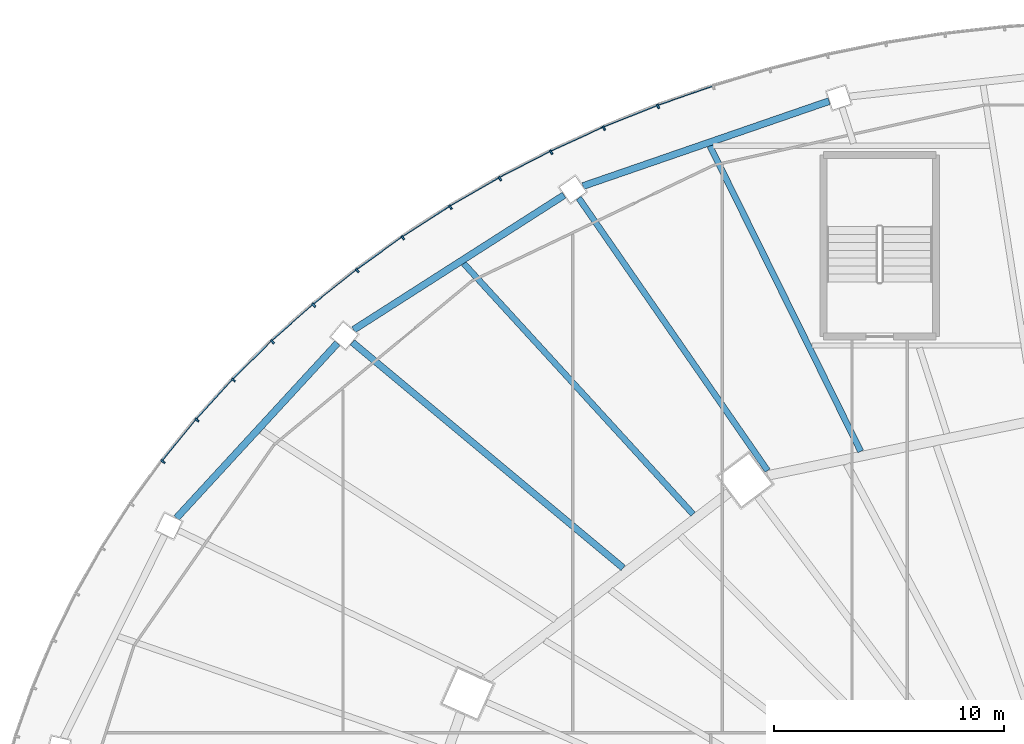
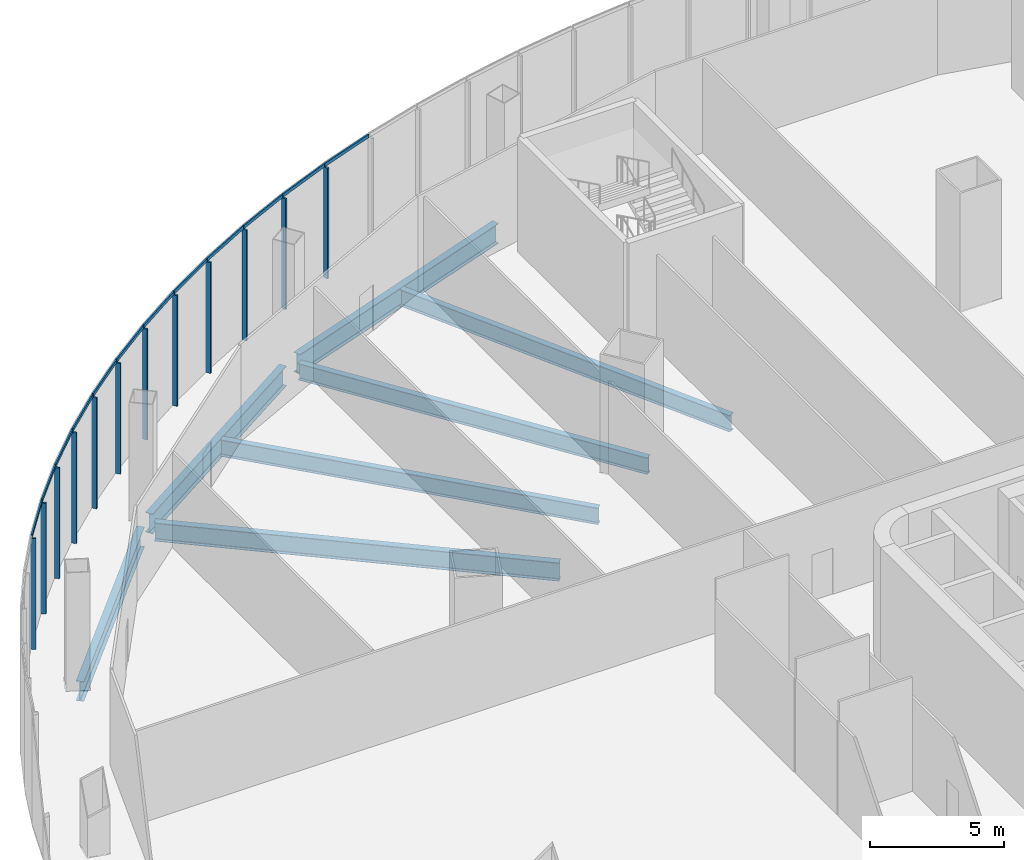
# One storey, part 13 of 42: 24 members, 7 beams, 3 elements without a shape of their own.
"""IFC4 building model written with IfcOpenShell, lengths in metres."""

from ifc_helpers import new_model, si_unit, direction, frame, origin, origin_2d, place, context, subcontext, project, spatial, rectangle, i_section, extrude, material, layer, layer_set, material_profile, profile_set, type_object, element, aggregate, save


model = new_model("IFC4")

# Units and contexts
model_context = context("Model", 3, precision=1e-05, world=origin(), true_north=direction((0.0, 1.0)))
body_context = subcontext(model_context, "Body", "Model", "MODEL_VIEW")
ifc_project = project(units=[si_unit("LENGTHUNIT", "METRE"), si_unit("AREAUNIT", "SQUARE_METRE"), si_unit("VOLUMEUNIT", "CUBIC_METRE"), si_unit("PLANEANGLEUNIT", "RADIAN"), si_unit("MASSUNIT", "GRAM", prefix="KILO")], contexts=[model_context])

# Site, building, storey
site_placement = place(None, origin())
site = spatial("IfcSite", under=ifc_project, at=site_placement, CompositionType="ELEMENT")
building_placement = place(site_placement, origin())
building = spatial("IfcBuilding", under=site, at=building_placement, Name="Sahrelin Media Tower", CompositionType="ELEMENT")
storey_placement = place(building_placement, frame((0.0, 0.0, 26.0)))
storey = spatial("IfcBuildingStorey", under=building, at=storey_placement, Name="L03", CompositionType="ELEMENT", Elevation=26.0)

# Curtain wall, members
ifc_material_1 = material(Name="Champagne anodised aluminium 6063-T6", Category="aluminium")
ifc_layer = layer(ifc_material_1, 0.14990234375)
ifc_layer_set = layer_set([ifc_layer], Name="Podium ribbon curtain wall")
curtain_wall_type = type_object("IfcCurtainWallType", Name="Podium ribbon curtain wall", PredefinedType="NOTDEFINED", material=ifc_layer_set)
curtain_wall_1_placement = place(storey_placement, frame((-12.94091796875, 40.56884765625, 0.0), z_axis=(0.0, 0.0, 1.0), x_axis=(1.0, 0.0, 0.0)))
curtain_wall_1 = element("IfcCurtainWall", 1, at=curtain_wall_1_placement, inside=storey, type_object=curtain_wall_type, Name="L03:CW:L03-P07", PredefinedType="NOTDEFINED")
ifc_material_profile_1 = material_profile(ifc_material_1, rectangle(XDim=0.080078125, YDim=0.199951171875, at=origin_2d()), Name="Mullion 80x200")
ifc_profile_set_1 = profile_set([ifc_material_profile_1], Name="Champagne anodised aluminium 6063-T6")
member_type_1 = type_object("IfcMemberType", Name="Mullion 80x200 CW5", PredefinedType="MULLION", material=ifc_profile_set_1)
member_1_placement = place(storey_placement, frame((-20.292236328125, 38.257568359375, 0.0), z_axis=(0.0, 0.0, 1.0), x_axis=(-0.928270482181, -0.371905783648, 0.0)))
member_1 = element("IfcMember", 2, at=member_1_placement, type_object=member_type_1, Name="L03:CWM4:L03-P07", PredefinedType="MULLION", context=body_context, shape_type="SweptSolid", body=[
    extrude(rectangle(XDim=0.080078125, YDim=0.199951171875, at=origin_2d()), origin(), (0.0, 0.0, 1.0), 5.050048828125),
])
member_2_placement = place(storey_placement, frame((-22.649658203125, 37.31298828125, 0.0), z_axis=(0.0, 0.0, 1.0), x_axis=(-0.909841810065, -0.414955275491, 0.0)))
member_2 = element("IfcMember", 3, at=member_2_placement, type_object=member_type_1, Name="L03:CWM5:L03-P07", PredefinedType="MULLION", context=body_context, shape_type="SweptSolid", body=[
    extrude(rectangle(XDim=0.080078125, YDim=0.199951171875, at=origin_2d()), origin(), (0.0, 0.0, 1.0), 5.050048828125),
])

curtain_wall_2_placement = place(storey_placement, frame((-25.0, 36.373046875, 0.0), z_axis=(0.0, 0.0, 1.0), x_axis=(1.0, 0.0, 0.0)))
curtain_wall_2 = element("IfcCurtainWall", 4, at=curtain_wall_2_placement, inside=storey, type_object=curtain_wall_type, Name="L03:CW:L03-P08", PredefinedType="NOTDEFINED")
member_3_placement = place(storey_placement, frame((-24.945068359375, 36.266357421875, 0.0), z_axis=(0.0, 0.0, 1.0), x_axis=(-0.889123403251, -0.457667536309, 0.0)))
member_3 = element("IfcMember", 5, at=member_3_placement, type_object=member_type_1, Name="L03:CWM1:L03-P08", PredefinedType="MULLION", context=body_context, shape_type="SweptSolid", body=[
    extrude(rectangle(XDim=0.080078125, YDim=0.199951171875, at=origin_2d()), origin(), (0.0, 0.0, 1.0), 5.050048828125),
])
member_4_placement = place(storey_placement, frame((-27.172119140625, 35.120361328125, 0.0), z_axis=(0.0, 0.0, 1.0), x_axis=(-0.866028894422, -0.49999395399, 0.0)))
member_4 = element("IfcMember", 6, at=member_4_placement, type_object=member_type_1, Name="L03:CWM2:L03-P08", PredefinedType="MULLION", context=body_context, shape_type="SweptSolid", body=[
    extrude(rectangle(XDim=0.080078125, YDim=0.199951171875, at=origin_2d()), origin(), (0.0, 0.0, 1.0), 5.050048828125),
])
member_5_placement = place(storey_placement, frame((-29.32421875, 33.877685546875, 0.0), z_axis=(0.0, 0.0, 1.0), x_axis=(-0.840519327336, -0.541781561494, 0.0)))
member_5 = element("IfcMember", 7, at=member_5_placement, type_object=member_type_1, Name="L03:CWM3:L03-P08", PredefinedType="MULLION", context=body_context, shape_type="SweptSolid", body=[
    extrude(rectangle(XDim=0.080078125, YDim=0.199951171875, at=origin_2d()), origin(), (0.0, 0.0, 1.0), 5.050048828125),
])
member_6_placement = place(storey_placement, frame((-31.39599609375, 32.54248046875, 0.0), z_axis=(0.0, 0.0, 1.0), x_axis=(-0.812532432251, -0.582915985834, 0.0)))
member_6 = element("IfcMember", 8, at=member_6_placement, type_object=member_type_1, Name="L03:CWM4:L03-P08", PredefinedType="MULLION", context=body_context, shape_type="SweptSolid", body=[
    extrude(rectangle(XDim=0.080078125, YDim=0.199951171875, at=origin_2d()), origin(), (0.0, 0.0, 1.0), 5.050048828125),
])
member_7_placement = place(storey_placement, frame((-33.381591796875, 31.118408203125, 0.0), z_axis=(0.0, 0.0, 1.0), x_axis=(-0.781960183728, -0.623328381405, 0.0)))
member_7 = element("IfcMember", 9, at=member_7_placement, type_object=member_type_1, Name="L03:CWM5:L03-P08", PredefinedType="MULLION", context=body_context, shape_type="SweptSolid", body=[
    extrude(rectangle(XDim=0.080078125, YDim=0.199951171875, at=origin_2d()), origin(), (0.0, 0.0, 1.0), 5.050048828125),
])

curtain_wall_3_placement = place(storey_placement, frame((-35.355224609375, 29.698486328125, 0.0), z_axis=(0.0, 0.0, 1.0), x_axis=(1.0, 0.0, 0.0)))
curtain_wall_3 = element("IfcCurtainWall", 10, at=curtain_wall_3_placement, inside=storey, type_object=curtain_wall_type, Name="L03:CW:L03-P09", PredefinedType="NOTDEFINED")
member_8_placement = place(storey_placement, frame((-35.27587890625, 29.608642578125, 0.0), z_axis=(0.0, 0.0, 1.0), x_axis=(-0.748788005735, -0.662809567272, 0.0)))
member_8 = element("IfcMember", 11, at=member_8_placement, type_object=member_type_1, Name="L03:CWM1:L03-P09", PredefinedType="MULLION", context=body_context, shape_type="SweptSolid", body=[
    extrude(rectangle(XDim=0.080078125, YDim=0.199951171875, at=origin_2d()), origin(), (0.0, 0.0, 1.0), 5.050048828125),
])
member_9_placement = place(storey_placement, frame((-37.072998046875, 28.017822265625, 0.0), z_axis=(0.0, 0.0, 1.0), x_axis=(-0.712973923933, -0.70119054742, 0.0)))
member_9 = element("IfcMember", 12, at=member_9_placement, type_object=member_type_1, Name="L03:CWM2:L03-P09", PredefinedType="MULLION", context=body_context, shape_type="SweptSolid", body=[
    extrude(rectangle(XDim=0.080078125, YDim=0.199951171875, at=origin_2d()), origin(), (0.0, 0.0, 1.0), 5.050048828125),
])
member_10_placement = place(storey_placement, frame((-38.768798828125, 26.3505859375, 0.0), z_axis=(0.0, 0.0, 1.0), x_axis=(-0.67442997344, -0.738338818514, 0.0)))
member_10 = element("IfcMember", 13, at=member_10_placement, type_object=member_type_1, Name="L03:CWM3:L03-P09", PredefinedType="MULLION", context=body_context, shape_type="SweptSolid", body=[
    extrude(rectangle(XDim=0.080078125, YDim=0.199951171875, at=origin_2d()), origin(), (0.0, 0.0, 1.0), 5.050048828125),
])
member_11_placement = place(storey_placement, frame((-40.35791015625, 24.611083984375, 0.0), z_axis=(0.0, 0.0, 1.0), x_axis=(-0.633234995933, -0.77395958546, 0.0)))
member_11 = element("IfcMember", 14, at=member_11_placement, type_object=member_type_1, Name="L03:CWM4:L03-P09", PredefinedType="MULLION", context=body_context, shape_type="SweptSolid", body=[
    extrude(rectangle(XDim=0.080078125, YDim=0.199951171875, at=origin_2d()), origin(), (0.0, 0.0, 1.0), 5.050048828125),
])
member_12_placement = place(storey_placement, frame((-41.836669921875, 22.80419921875, 0.0), z_axis=(0.0, 0.0, 1.0), x_axis=(-0.589385309161, -0.807852064022, 0.0)))
member_12 = element("IfcMember", 15, at=member_12_placement, type_object=member_type_1, Name="L03:CWM5:L03-P09", PredefinedType="MULLION", context=body_context, shape_type="SweptSolid", body=[
    extrude(rectangle(XDim=0.080078125, YDim=0.199951171875, at=origin_2d()), origin(), (0.0, 0.0, 1.0), 5.050048828125),
])

# Beams
ifc_material_2 = material(Name="Steel S355", Category="steel")
ifc_material_profile_2 = material_profile(ifc_material_2, i_section(OverallWidth=0.30322265625, OverallDepth=0.903076171875, WebThickness=0.01513671875, FlangeThickness=0.020263671875, FilletRadius=0.01904296875, at=origin_2d()), Name="UB 914x305x201")
ifc_profile_set_2 = profile_set([ifc_material_profile_2], Name="Steel S355")
beam_type_1 = type_object("IfcBeamType", Name="Podium edge girder PE11", PredefinedType="BEAM", material=ifc_profile_set_2)
beam_1_placement = place(storey_placement, frame((-12.848876953125, 38.489990234375, -0.651611328125), z_axis=(-0.94527240249, -0.32628221694, 0.0), x_axis=(0.32628221694, -0.94527240249, 0.0)))
element("IfcBeam", 16, at=beam_1_placement, inside=storey, type_object=beam_type_1, Name="Podium edge girder L03-08", PredefinedType="BEAM", context=body_context, shape_type="SweptSolid", body=[
    extrude(i_section(OverallWidth=0.30322265625, OverallDepth=0.903076171875, WebThickness=0.01513671875, FlangeThickness=0.020263671875, FilletRadius=0.01904296875, at=origin_2d()), origin(), (0.0, 0.0, 1.0), 11.329345703125),
])
beam_2_placement = place(storey_placement, frame((-24.37939453125, 34.3984375, -0.651611328125), z_axis=(-0.842485743715, -0.538718638657, 0.0), x_axis=(0.538718638657, -0.842485743715, 0.0)))
element("IfcBeam", 17, at=beam_2_placement, inside=storey, type_object=beam_type_1, Name="Podium edge girder L03-09", PredefinedType="BEAM", context=body_context, shape_type="SweptSolid", body=[
    extrude(i_section(OverallWidth=0.30322265625, OverallDepth=0.903076171875, WebThickness=0.01513671875, FlangeThickness=0.020263671875, FilletRadius=0.01904296875, at=origin_2d()), origin(), (0.0, 0.0, 1.0), 10.87744140625),
])
beam_3_placement = place(storey_placement, frame((-34.246337890625, 27.952880859375, -0.651611328125), z_axis=(-0.677370529771, -0.735642008995, 0.0), x_axis=(0.735642008995, -0.677370529771, 0.0)))
element("IfcBeam", 18, at=beam_3_placement, inside=storey, type_object=beam_type_1, Name="Podium edge girder L03-10", PredefinedType="BEAM", context=body_context, shape_type="SweptSolid", body=[
    extrude(i_section(OverallWidth=0.30322265625, OverallDepth=0.903076171875, WebThickness=0.01513671875, FlangeThickness=0.020263671875, FilletRadius=0.01904296875, at=origin_2d()), origin(), (0.0, 0.0, 1.0), 10.340087890625),
])
ifc_material_profile_3 = material_profile(ifc_material_2, i_section(OverallWidth=0.291748046875, OverallDepth=0.8349609375, WebThickness=0.013916015625, FlangeThickness=0.018798828125, FilletRadius=0.017822265625, at=origin_2d()), Name="UB 838x292x176")
ifc_profile_set_3 = profile_set([ifc_material_profile_3], Name="Steel S355")
beam_type_2 = type_object("IfcBeamType", Name="Radial primary beam PB10", PredefinedType="BEAM", material=ifc_profile_set_3)
beam_4_placement = place(storey_placement, frame((-21.809326171875, 18.174560546875, -0.617431640625), z_axis=(-0.768229105739, 0.640175008178, 0.0), x_axis=(-0.640175008178, -0.768229105739, 0.0)))
element("IfcBeam", 19, at=beam_4_placement, inside=storey, type_object=beam_type_2, Name="Radial beam L03-12", PredefinedType="BEAM", context=body_context, shape_type="SweptSolid", body=[
    extrude(i_section(OverallWidth=0.291748046875, OverallDepth=0.8349609375, WebThickness=0.013916015625, FlangeThickness=0.018798828125, FilletRadius=0.017822265625, at=origin_2d()), origin(), (0.0, 0.0, 1.0), 15.342041015625),
])
ifc_material_profile_4 = material_profile(ifc_material_2, i_section(OverallWidth=0.26513671875, OverallDepth=0.75390625, WebThickness=0.0126953125, FlangeThickness=0.017578125, FilletRadius=0.0166015625, at=origin_2d()), Name="UB 762x267x147")
ifc_profile_set_4 = profile_set([ifc_material_profile_4], Name="Steel S355")
beam_type_3 = type_object("IfcBeamType", Name="Radial primary beam PB9", PredefinedType="BEAM", material=ifc_profile_set_4)
beam_5_placement = place(storey_placement, frame((-15.527099609375, 22.411376953125, -0.576904296875), z_axis=(-0.569493278726, 0.821995988729, 0.0), x_axis=(-0.821995988729, -0.569493278726, 0.0)))
element("IfcBeam", 20, at=beam_5_placement, inside=storey, type_object=beam_type_3, Name="Radial beam L03-11", PredefinedType="BEAM", context=body_context, shape_type="SweptSolid", body=[
    extrude(i_section(OverallWidth=0.26513671875, OverallDepth=0.75390625, WebThickness=0.0126953125, FlangeThickness=0.017578125, FilletRadius=0.0166015625, at=origin_2d()), origin(), (0.0, 0.0, 1.0), 14.427734375),
])
ifc_material_profile_5 = material_profile(ifc_material_2, i_section(OverallWidth=0.26513671875, OverallDepth=0.75390625, WebThickness=0.0126953125, FlangeThickness=0.017578125, FilletRadius=0.0166015625, at=origin_2d()), Name="UB 762x267x147")
ifc_profile_set_5 = profile_set([ifc_material_profile_5], Name="Steel S355")
beam_type_4 = type_object("IfcBeamType", Name="Radial secondary beam SB9", PredefinedType="BEAM", material=ifc_profile_set_5)
beam_6_placement = place(storey_placement, frame((-11.47412109375, 23.247314453125, -0.576904296875), z_axis=(-0.442602611298, 0.896717864477, 0.0), x_axis=(-0.896717864477, -0.442602611298, 0.0)))
element("IfcBeam", 21, at=beam_6_placement, inside=storey, type_object=beam_type_4, Name="Secondary beam L03-08", PredefinedType="BEAM", context=body_context, shape_type="SweptSolid", body=[
    extrude(i_section(OverallWidth=0.26513671875, OverallDepth=0.75390625, WebThickness=0.0126953125, FlangeThickness=0.017578125, FilletRadius=0.0166015625, at=origin_2d()), origin(), (0.0, 0.0, 1.0), 14.8232421875),
])
beam_7_placement = place(storey_placement, frame((-18.7685546875, 20.514892578125, -0.576904296875), z_axis=(-0.675004282666, 0.737813810106, 0.0), x_axis=(-0.737813810106, -0.675004282666, 0.0)))
element("IfcBeam", 22, at=beam_7_placement, inside=storey, type_object=beam_type_4, Name="Secondary beam L03-09", PredefinedType="BEAM", context=body_context, shape_type="SweptSolid", body=[
    extrude(i_section(OverallWidth=0.26513671875, OverallDepth=0.75390625, WebThickness=0.0126953125, FlangeThickness=0.017578125, FilletRadius=0.0166015625, at=origin_2d()), origin(), (0.0, 0.0, 1.0), 14.7861328125),
])

# Member
ifc_material_profile_6 = material_profile(ifc_material_1, rectangle(XDim=0.06005859375, YDim=0.14990234375, at=origin_2d()), Name="Transom 60x150")
ifc_profile_set_6 = profile_set([ifc_material_profile_6], Name="Champagne anodised aluminium 6063-T6")
member_type_2 = type_object("IfcMemberType", Name="Transom 60x150 CW5", PredefinedType="USERDEFINED", material=ifc_profile_set_6)
member_13_placement = place(storey_placement, frame((-17.94921875, 39.146728515625, 5.125), z_axis=(-0.944469242615, -0.328599832248, 0.0), x_axis=(0.328599832248, -0.944469242615, 0.0)))
member_13 = element("IfcMember", 23, at=member_13_placement, type_object=member_type_2, Name="L03:CWT3a:L03-P07", ObjectType="TRANSOM", PredefinedType="USERDEFINED", context=body_context, shape_type="SweptSolid", body=[
    extrude(rectangle(XDim=0.06005859375, YDim=0.14990234375, at=origin_2d()), origin(), (0.0, 0.0, 1.0), 2.510498046875),
])

member_14_placement = place(storey_placement, frame((-20.364501953125, 38.303955078125, 5.125), z_axis=(-0.928280887293, -0.371879811615, 0.0), x_axis=(0.371879811615, -0.928280887293, 0.0)))
member_14 = element("IfcMember", 24, at=member_14_placement, type_object=member_type_2, Name="L03:CWT4a:L03-P07", ObjectType="TRANSOM", PredefinedType="USERDEFINED", context=body_context, shape_type="SweptSolid", body=[
    extrude(rectangle(XDim=0.06005859375, YDim=0.14990234375, at=origin_2d()), origin(), (0.0, 0.0, 1.0), 2.495361328125),
])

member_15_placement = place(storey_placement, frame((-22.72412109375, 37.356201171875, 5.125), z_axis=(-0.909832749786, -0.414975140722, 0.0), x_axis=(0.414975140722, -0.909832749786, 0.0)))
member_15 = element("IfcMember", 25, at=member_15_placement, type_object=member_type_2, Name="L03:CWT5a:L03-P07", ObjectType="TRANSOM", PredefinedType="USERDEFINED", context=body_context, shape_type="SweptSolid", body=[
    extrude(rectangle(XDim=0.06005859375, YDim=0.14990234375, at=origin_2d()), origin(), (0.0, 0.0, 1.0), 2.478515625),
])

aggregate(curtain_wall_1, [member_13, member_1, member_14, member_2, member_15])

member_16_placement = place(storey_placement, frame((-25.021484375, 36.305908203125, 5.125), z_axis=(-0.88908592798, -0.457740333233, 0.0), x_axis=(0.457740333233, -0.88908592798, 0.0)))
member_16 = element("IfcMember", 26, at=member_16_placement, type_object=member_type_2, Name="L03:CWT1a:L03-P08", ObjectType="TRANSOM", PredefinedType="USERDEFINED", context=body_context, shape_type="SweptSolid", body=[
    extrude(rectangle(XDim=0.06005859375, YDim=0.14990234375, at=origin_2d()), origin(), (0.0, 0.0, 1.0), 2.46044921875),
])

member_17_placement = place(storey_placement, frame((-27.250244140625, 35.156005859375, 5.125), z_axis=(-0.86599404773, -0.500054306346, 0.0), x_axis=(0.500054306346, -0.86599404773, 0.0)))
member_17 = element("IfcMember", 27, at=member_17_placement, type_object=member_type_2, Name="L03:CWT2a:L03-P08", ObjectType="TRANSOM", PredefinedType="USERDEFINED", context=body_context, shape_type="SweptSolid", body=[
    extrude(rectangle(XDim=0.06005859375, YDim=0.14990234375, at=origin_2d()), origin(), (0.0, 0.0, 1.0), 2.441162109375),
])

member_18_placement = place(storey_placement, frame((-29.404296875, 33.90966796875, 5.125), z_axis=(-0.840515923585, -0.541786842033, 0.0), x_axis=(0.541786842033, -0.840515923585, 0.0)))
member_18 = element("IfcMember", 28, at=member_18_placement, type_object=member_type_2, Name="L03:CWT3a:L03-P08", ObjectType="TRANSOM", PredefinedType="USERDEFINED", context=body_context, shape_type="SweptSolid", body=[
    extrude(rectangle(XDim=0.06005859375, YDim=0.14990234375, at=origin_2d()), origin(), (0.0, 0.0, 1.0), 2.420654296875),
])

member_19_placement = place(storey_placement, frame((-31.4775390625, 32.5703125, 5.125), z_axis=(-0.812528823306, -0.582921016345, 0.0), x_axis=(0.582921016345, -0.812528823306, 0.0)))
member_19 = element("IfcMember", 29, at=member_19_placement, type_object=member_type_2, Name="L03:CWT4a:L03-P08", ObjectType="TRANSOM", PredefinedType="USERDEFINED", context=body_context, shape_type="SweptSolid", body=[
    extrude(rectangle(XDim=0.06005859375, YDim=0.14990234375, at=origin_2d()), origin(), (0.0, 0.0, 1.0), 2.39990234375),
])

member_20_placement = place(storey_placement, frame((-33.46435546875, 31.141845703125, 5.125), z_axis=(-0.781989191913, -0.623291989144, 0.0), x_axis=(0.623291989144, -0.781989191913, 0.0)))
member_20 = element("IfcMember", 30, at=member_20_placement, type_object=member_type_2, Name="L03:CWT5a:L03-P08", ObjectType="TRANSOM", PredefinedType="USERDEFINED", context=body_context, shape_type="SweptSolid", body=[
    extrude(rectangle(XDim=0.06005859375, YDim=0.14990234375, at=origin_2d()), origin(), (0.0, 0.0, 1.0), 2.37841796875),
])

aggregate(curtain_wall_2, [member_3, member_16, member_4, member_17, member_5, member_18, member_6, member_19, member_7, member_20])

member_21_placement = place(storey_placement, frame((-35.359619140625, 29.6279296875, 5.125), z_axis=(-0.74879678706, -0.662799646717, 0.0), x_axis=(0.662799646717, -0.74879678706, 0.0)))
member_21 = element("IfcMember", 31, at=member_21_placement, type_object=member_type_2, Name="L03:CWT1a:L03-P09", ObjectType="TRANSOM", PredefinedType="USERDEFINED", context=body_context, shape_type="SweptSolid", body=[
    extrude(rectangle(XDim=0.06005859375, YDim=0.14990234375, at=origin_2d()), origin(), (0.0, 0.0, 1.0), 2.356201171875),
])

member_22_placement = place(storey_placement, frame((-37.15771484375, 28.03271484375, 5.125), z_axis=(-0.713042850278, -0.70112045589, 0.0), x_axis=(0.70112045589, -0.713042850278, 0.0)))
member_22 = element("IfcMember", 32, at=member_22_placement, type_object=member_type_2, Name="L03:CWT2a:L03-P09", ObjectType="TRANSOM", PredefinedType="USERDEFINED", context=body_context, shape_type="SweptSolid", body=[
    extrude(rectangle(XDim=0.06005859375, YDim=0.14990234375, at=origin_2d()), origin(), (0.0, 0.0, 1.0), 2.33447265625),
])

member_23_placement = place(storey_placement, frame((-38.85400390625, 26.36083984375, 5.125), z_axis=(-0.674452068042, -0.738318635762, 0.0), x_axis=(0.738318635762, -0.674452068042, 0.0)))
member_23 = element("IfcMember", 33, at=member_23_placement, type_object=member_type_2, Name="L03:CWT3a:L03-P09", ObjectType="TRANSOM", PredefinedType="USERDEFINED", context=body_context, shape_type="SweptSolid", body=[
    extrude(rectangle(XDim=0.06005859375, YDim=0.14990234375, at=origin_2d()), origin(), (0.0, 0.0, 1.0), 2.312744140625),
])

member_24_placement = place(storey_placement, frame((-40.44384765625, 24.61669921875, 5.125), z_axis=(-0.633168167393, -0.774014258137, 0.0), x_axis=(0.774014258137, -0.633168167393, 0.0)))
member_24 = element("IfcMember", 34, at=member_24_placement, type_object=member_type_2, Name="L03:CWT4a:L03-P09", ObjectType="TRANSOM", PredefinedType="USERDEFINED", context=body_context, shape_type="SweptSolid", body=[
    extrude(rectangle(XDim=0.06005859375, YDim=0.14990234375, at=origin_2d()), origin(), (0.0, 0.0, 1.0), 2.29150390625),
])

aggregate(curtain_wall_3, [member_8, member_21, member_9, member_22, member_10, member_23, member_11, member_24, member_12])

save(model, "model.ifc")
